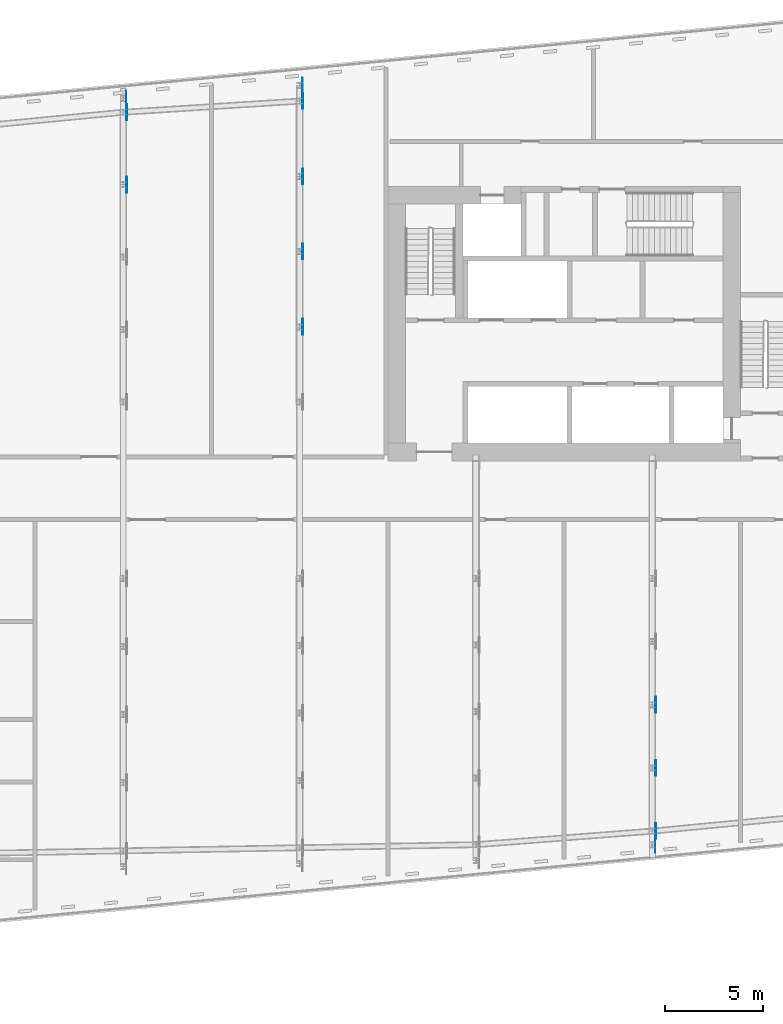
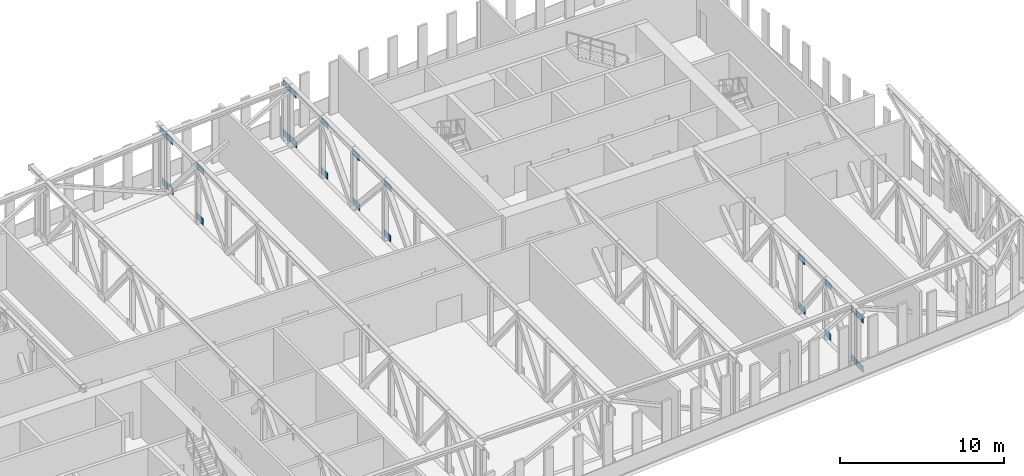
# One storey, part 19 of 26: 24 discrete accessories.
"""IFC4 building model written with IfcOpenShell, lengths in metres."""

from ifc_helpers import new_model, si_unit, direction, frame, origin, place, context, subcontext, project, spatial, polyline, outline, extrude, material, layer, layer_set, type_object, element, save


model = new_model("IFC4")

# Units and contexts
model_context = context("Model", 3, precision=1e-05, world=origin(), true_north=direction((0.0, 1.0)))
body_context = subcontext(model_context, "Body", "Model", "MODEL_VIEW")
ifc_project = project(units=[si_unit("LENGTHUNIT", "METRE"), si_unit("AREAUNIT", "SQUARE_METRE"), si_unit("VOLUMEUNIT", "CUBIC_METRE"), si_unit("PLANEANGLEUNIT", "RADIAN"), si_unit("MASSUNIT", "GRAM", prefix="KILO")], contexts=[model_context])

# Site, building, storey
site_placement = place(None, origin())
site = spatial("IfcSite", under=ifc_project, at=site_placement, CompositionType="ELEMENT")
building_placement = place(site_placement, origin())
building = spatial("IfcBuilding", under=site, at=building_placement, Name="Kajstack Hotel Tower", CompositionType="ELEMENT")
storey_placement = place(building_placement, frame((0.0, 0.0, 206.5)))
storey = spatial("IfcBuildingStorey", under=building, at=storey_placement, Name="L50", CompositionType="ELEMENT", Elevation=206.5)

# Discrete accessories
ifc_material = material(Name="Steel S355J2", Category="steel")
ifc_layer = layer(ifc_material, 0.02001953125)
ifc_layer_set = layer_set([ifc_layer], Name="GUSSET PLATE")
discrete_accessory_type = type_object("IfcDiscreteAccessoryType", Name="GUSSET PLATE", PredefinedType="BRACKET", material=ifc_layer_set)
for number, where, z_axis, x_axis, name in (
    (1, (0.139892578125, 15.592041015625, 0.0), (1.0, 0.0, 0.0), (0.0, 1.0, 0.0), "Gusset plate L50-544"),
    (2, (0.175048828125, 15.592041015625, 3.699951171875), (1.0, 0.0, 0.0), (0.0, 1.0, 0.0), "Gusset plate L50-545"),
):
    element("IfcDiscreteAccessory", number, at=place(storey_placement, frame(where, z_axis=z_axis, x_axis=x_axis)), inside=storey, type_object=discrete_accessory_type, Name=name, PredefinedType="BRACKET", context=body_context, shape_type="SweptSolid", body=[
        extrude(outline(polyline([(-0.39990234375, 0.0), (0.39990234375, 0.0), (0.39990234375, 0.5), (-0.39990234375, 0.5), (-0.39990234375, 0.0)])), origin(), (0.0, 0.0, 1.0), 0.02001953125),
    ])
discrete_accessory_1_placement = place(storey_placement, frame((0.175048828125, 19.28955078125, 0.0), z_axis=(1.0, 0.0, 0.0), x_axis=(0.0, 1.0, 0.0)))
element("IfcDiscreteAccessory", 3, at=discrete_accessory_1_placement, inside=storey, type_object=discrete_accessory_type, Name="Gusset plate L50-546", PredefinedType="BRACKET", context=body_context, shape_type="SweptSolid", body=[
    extrude(outline(polyline([(-0.39990234375, 0.0), (-0.187744140625, 0.0), (-0.187255859375, 0.0234375), (-0.180908203125, 0.056396484375), (-0.160888671875, 0.205810546875), (-0.152587890625, 0.241455078125), (-0.137451171875, 0.274658203125), (-0.12744140625, 0.2900390625), (-0.103271484375, 0.317626953125), (-0.07421875, 0.33984375), (-0.041259765625, 0.35595703125), (-0.02392578125, 0.361572265625), (-0.005859375, 0.365478515625), (0.030517578125, 0.36767578125), (0.048828125, 0.3662109375), (0.08447265625, 0.35791015625), (0.117919921875, 0.3427734375), (0.13330078125, 0.332763671875), (0.1474609375, 0.3212890625), (0.172607421875, 0.29443359375), (0.19189453125, 0.263427734375), (0.20458984375, 0.22900390625), (0.20849609375, 0.211181640625), (0.2109375, 0.174560546875), (0.189208984375, 0.00634765625), (0.190673828125, 0.0), (0.39990234375, 0.0), (0.39990234375, 0.5), (-0.39990234375, 0.5), (-0.39990234375, 0.0)])), origin(), (0.0, 0.0, 1.0), 0.02001953125),
])
discrete_accessory_2_placement = place(storey_placement, frame((0.139892578125, 19.28955078125, 3.699951171875), z_axis=(1.0, 0.0, 0.0), x_axis=(0.0, 1.0, 0.0)))
element("IfcDiscreteAccessory", 4, at=discrete_accessory_2_placement, inside=storey, type_object=discrete_accessory_type, Name="Gusset plate L50-547", PredefinedType="BRACKET", context=body_context, shape_type="SweptSolid", body=[
    extrude(outline(polyline([(-0.39990234375, 0.0), (0.39990234375, 0.0), (0.39990234375, 0.5), (-0.39990234375, 0.5), (-0.39990234375, 0.0)])), origin(), (0.0, 0.0, 1.0), 0.02001953125),
])
discrete_accessory_3_placement = place(storey_placement, frame((0.139892578125, 19.989501953125, 0.0), z_axis=(1.0, 0.0, 0.0), x_axis=(0.0, 1.0, 0.0)))
element("IfcDiscreteAccessory", 5, at=discrete_accessory_3_placement, inside=storey, type_object=discrete_accessory_type, Name="Gusset plate L50-548", PredefinedType="BRACKET", context=body_context, shape_type="SweptSolid", body=[
    extrude(outline(polyline([(-0.39990234375, 0.0), (0.2333984375, 0.0), (0.2333984375, 0.5), (-0.39990234375, 0.5), (-0.39990234375, 0.0)])), origin(), (0.0, 0.0, 1.0), 0.02001953125),
])
discrete_accessory_4_placement = place(storey_placement, frame((0.139892578125, 19.989501953125, 3.699951171875), z_axis=(1.0, 0.0, 0.0), x_axis=(0.0, 1.0, 0.0)))
element("IfcDiscreteAccessory", 6, at=discrete_accessory_4_placement, inside=storey, type_object=discrete_accessory_type, Name="Gusset plate L50-549", PredefinedType="BRACKET", context=body_context, shape_type="SweptSolid", body=[
    extrude(outline(polyline([(-0.39990234375, 0.0), (0.2333984375, 0.0), (0.2333984375, 0.205078125), (0.394287109375, 0.205078125), (0.394287109375, 0.0), (0.39990234375, 0.0), (0.39990234375, 0.5), (-0.39990234375, 0.5), (-0.39990234375, 0.0)])), origin(), (0.0, 0.0, 1.0), 0.02001953125),
])
for number, where, z_axis, x_axis, name in (
    (7, (9.139892578125, 8.33935546875, 0.0), (1.0, 0.0, 0.0), (0.0, 1.0, 0.0), "Gusset plate L50-564"),
    (8, (9.175048828125, 8.33935546875, 3.699951171875), (1.0, 0.0, 0.0), (0.0, 1.0, 0.0), "Gusset plate L50-565"),
    (9, (9.175048828125, 12.178955078125, 0.0), (1.0, 0.0, 0.0), (0.0, 1.0, 0.0), "Gusset plate L50-566"),
    (10, (9.139892578125, 12.178955078125, 3.699951171875), (1.0, 0.0, 0.0), (0.0, 1.0, 0.0), "Gusset plate L50-567"),
    (11, (9.139892578125, 16.018310546875, 0.0), (1.0, 0.0, 0.0), (0.0, 1.0, 0.0), "Gusset plate L50-568"),
    (12, (9.175048828125, 16.018310546875, 3.699951171875), (1.0, 0.0, 0.0), (0.0, 1.0, 0.0), "Gusset plate L50-569"),
    (13, (9.175048828125, 19.85791015625, 0.0), (1.0, 0.0, 0.0), (0.0, 1.0, 0.0), "Gusset plate L50-570"),
):
    element("IfcDiscreteAccessory", number, at=place(storey_placement, frame(where, z_axis=z_axis, x_axis=x_axis)), inside=storey, type_object=discrete_accessory_type, Name=name, PredefinedType="BRACKET", context=body_context, shape_type="SweptSolid", body=[
        extrude(outline(polyline([(-0.39990234375, 0.0), (0.39990234375, 0.0), (0.39990234375, 0.5), (-0.39990234375, 0.5), (-0.39990234375, 0.0)])), origin(), (0.0, 0.0, 1.0), 0.02001953125),
    ])
discrete_accessory_5_placement = place(storey_placement, frame((9.139892578125, 19.85791015625, 3.699951171875), z_axis=(1.0, 0.0, 0.0), x_axis=(0.0, 1.0, 0.0)))
element("IfcDiscreteAccessory", 14, at=discrete_accessory_5_placement, inside=storey, type_object=discrete_accessory_type, Name="Gusset plate L50-571", PredefinedType="BRACKET", context=body_context, shape_type="SweptSolid", body=[
    extrude(outline(polyline([(0.39990234375, 0.5), (0.1796875, 0.5), (0.173828125, 0.47705078125), (0.15869140625, 0.44384765625), (0.13720703125, 0.4140625), (0.1103515625, 0.38916015625), (0.079345703125, 0.369873046875), (0.0625, 0.362548828125), (0.027099609375, 0.353271484375), (-0.009521484375, 0.350830078125), (-0.045654296875, 0.355712890625), (-0.080322265625, 0.367431640625), (-0.112060546875, 0.385986328125), (-0.12646484375, 0.397216796875), (-0.1396484375, 0.41015625), (-0.161865234375, 0.439208984375), (-0.177978515625, 0.471923828125), (-0.185791015625, 0.5), (-0.39990234375, 0.5), (-0.39990234375, 0.0), (0.39990234375, 0.0), (0.39990234375, 0.5)])), origin(), (0.0, 0.0, 1.0), 0.02001953125),
])
for number, where, z_axis, x_axis, name in (
    (15, (9.139892578125, 20.65771484375, 0.0), (1.0, 0.0, 0.0), (0.0, 1.0, 0.0), "Gusset plate L50-572"),
    (16, (9.139892578125, 20.65771484375, 3.699951171875), (1.0, 0.0, 0.0), (0.0, 1.0, 0.0), "Gusset plate L50-573"),
    (17, (27.139892578125, -18.100830078125, 0.0), (1.0, 0.0, 0.0), (0.0, 1.0, 0.0), "Gusset plate L50-587"),
    (18, (27.139892578125, -18.100830078125, 3.699951171875), (1.0, 0.0, 0.0), (0.0, 1.0, 0.0), "Gusset plate L50-588"),
    (19, (27.175048828125, -17.40087890625, 0.0), (1.0, 0.0, 0.0), (0.0, 1.0, 0.0), "Gusset plate L50-589"),
):
    element("IfcDiscreteAccessory", number, at=place(storey_placement, frame(where, z_axis=z_axis, x_axis=x_axis)), inside=storey, type_object=discrete_accessory_type, Name=name, PredefinedType="BRACKET", context=body_context, shape_type="SweptSolid", body=[
        extrude(outline(polyline([(-0.39990234375, 0.0), (0.39990234375, 0.0), (0.39990234375, 0.5), (-0.39990234375, 0.5), (-0.39990234375, 0.0)])), origin(), (0.0, 0.0, 1.0), 0.02001953125),
    ])
discrete_accessory_6_placement = place(storey_placement, frame((27.139892578125, -17.40087890625, 3.699951171875), z_axis=(1.0, 0.0, 0.0), x_axis=(0.0, 1.0, 0.0)))
element("IfcDiscreteAccessory", 20, at=discrete_accessory_6_placement, inside=storey, type_object=discrete_accessory_type, Name="Gusset plate L50-590", PredefinedType="BRACKET", context=body_context, shape_type="SweptSolid", body=[
    extrude(outline(polyline([(0.39990234375, 0.5), (0.202880859375, 0.5), (0.216552734375, 0.432861328125), (0.22021484375, 0.396240234375), (0.216796875, 0.35986328125), (0.21240234375, 0.342041015625), (0.198486328125, 0.30810546875), (0.189208984375, 0.29248046875), (0.166015625, 0.263916015625), (0.137939453125, 0.24072265625), (0.122314453125, 0.231201171875), (0.08837890625, 0.217041015625), (0.052490234375, 0.209716796875), (0.0341796875, 0.208740234375), (-0.002197265625, 0.212158203125), (-0.037353515625, 0.22265625), (-0.053955078125, 0.23046875), (-0.08447265625, 0.250732421875), (-0.1103515625, 0.2763671875), (-0.130859375, 0.306640625), (-0.14501953125, 0.340576171875), (-0.168212890625, 0.449462890625), (-0.180419921875, 0.47705078125), (-0.1865234375, 0.5), (-0.39990234375, 0.5), (-0.39990234375, 0.0), (0.39990234375, 0.0), (0.39990234375, 0.5)])), origin(), (0.0, 0.0, 1.0), 0.02001953125),
])
for number, where, z_axis, x_axis, name in (
    (21, (27.139892578125, -14.175537109375, 0.0), (1.0, 0.0, 0.0), (0.0, 1.0, 0.0), "Gusset plate L50-591"),
    (22, (27.175048828125, -14.175537109375, 3.699951171875), (1.0, 0.0, 0.0), (0.0, 1.0, 0.0), "Gusset plate L50-592"),
    (23, (27.175048828125, -10.950439453125, 0.0), (1.0, 0.0, 0.0), (0.0, 1.0, 0.0), "Gusset plate L50-593"),
    (24, (27.139892578125, -10.950439453125, 3.699951171875), (1.0, 0.0, 0.0), (0.0, 1.0, 0.0), "Gusset plate L50-594"),
):
    element("IfcDiscreteAccessory", number, at=place(storey_placement, frame(where, z_axis=z_axis, x_axis=x_axis)), inside=storey, type_object=discrete_accessory_type, Name=name, PredefinedType="BRACKET", context=body_context, shape_type="SweptSolid", body=[
        extrude(outline(polyline([(-0.39990234375, 0.0), (0.39990234375, 0.0), (0.39990234375, 0.5), (-0.39990234375, 0.5), (-0.39990234375, 0.0)])), origin(), (0.0, 0.0, 1.0), 0.02001953125),
    ])

save(model, "model.ifc")
